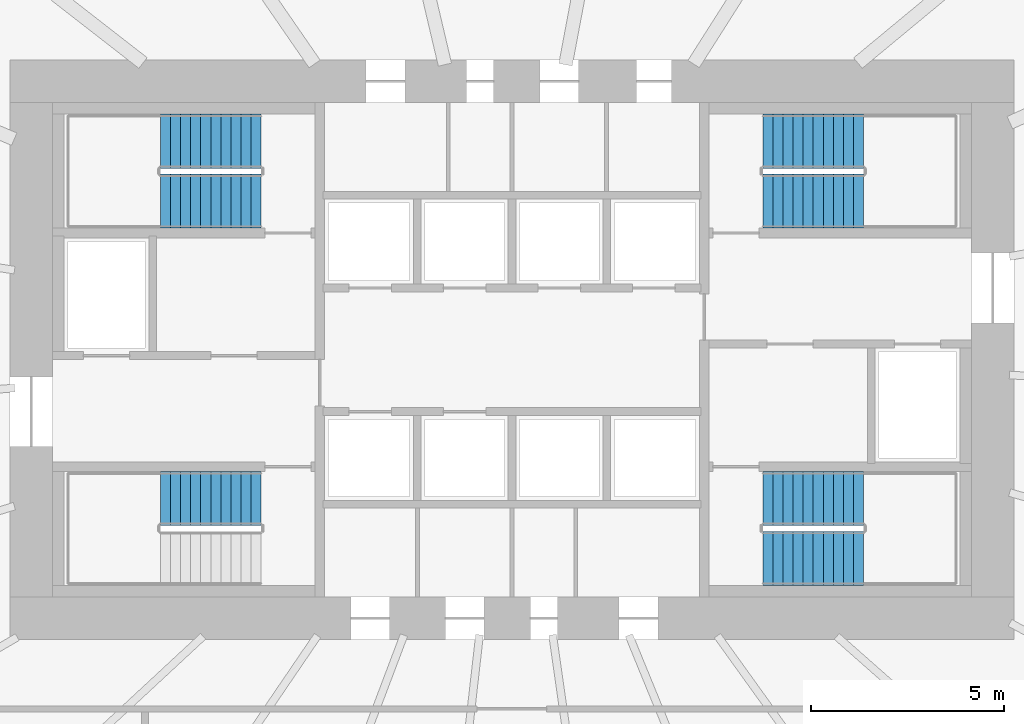
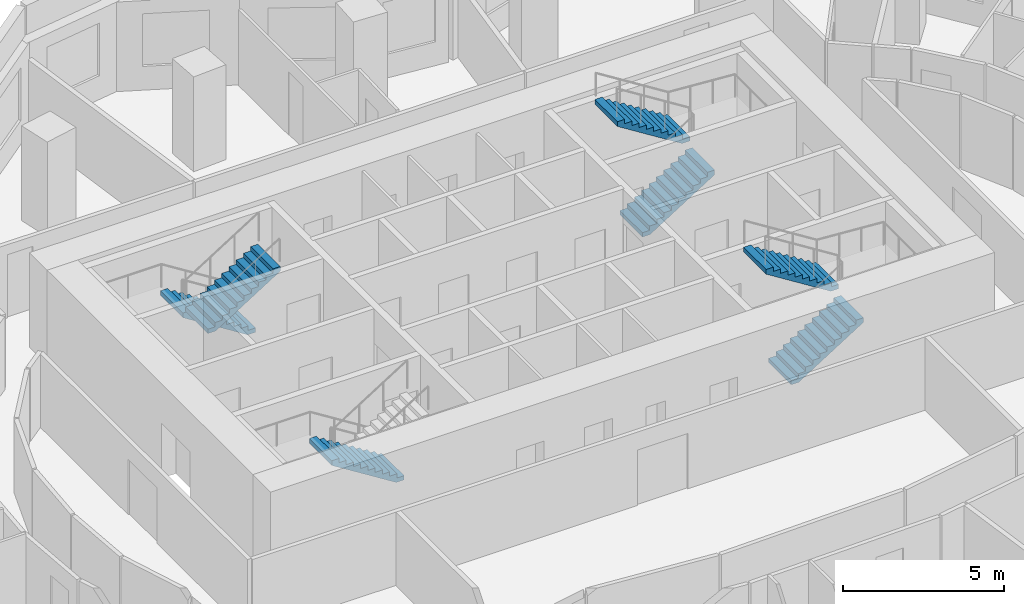
# One storey, part 10 of 11: 7 stair flights, 4 elements without a shape of their own.
"""IFC4 building model written with IfcOpenShell, lengths in metres."""

import ifcopenshell
import ifcopenshell.guid

model = None  # the IFC model being written
_history = None  # IfcOwnerHistory: only IFC2X3 demands one
_inside = {}  # id of a spatial element -> (the spatial element, [elements in it])
_under = {}  # id of a project, library or spatial element -> (it, [spatial elements below it])
_declared = {}  # id of a project -> (the project, [libraries it declares])
_typed = {}  # id of a type object -> (the type object, [elements of that type])
_made_of = {}  # id of a material, layer set ... -> (it, [elements and type objects made of it])


def new_model(schema):
    """Start an empty IFC model of exactly this schema.

    Asked for "IFC4X3", IfcOpenShell would pick the latest addendum, in which some entities
    have other attributes; the version numbers below select the first issue.
    IFC2X3 requires an IfcOwnerHistory on every rooted entity: one is made here for all.
    """
    global model, _history
    if schema == "IFC4X3":
        model = ifcopenshell.file(schema_version=(4, 3, 0, 0))
    else:
        model = ifcopenshell.file(schema=schema)
    _inside.clear()
    _under.clear()
    _declared.clear()
    _typed.clear()
    _made_of.clear()
    _history = None
    if model.schema == "IFC2X3":
        org = make("IfcOrganization", Name="unknown")
        user = make(
            "IfcPersonAndOrganization",
            ThePerson=make("IfcPerson", FamilyName="unknown"),
            TheOrganization=org,
        )
        app = make(
            "IfcApplication",
            ApplicationDeveloper=org,
            Version="unknown",
            ApplicationFullName="unknown",
            ApplicationIdentifier="unknown",
        )
        _history = make(
            "IfcOwnerHistory",
            OwningUser=user,
            OwningApplication=app,
            ChangeAction="ADDED",
            CreationDate=0,
        )
    return model


def make(cls, **values):
    """One entity of the class cls with the attributes given. An attribute that is None is left unset."""
    return model.create_entity(
        cls, **{name: value for name, value in values.items() if value is not None}
    )


def rooted(cls, **values):
    """An entity with a GlobalId (a new one), such as an element, a storey or a relation."""
    return make(cls, GlobalId=ifcopenshell.guid.new(), OwnerHistory=_history, **values)


def si_unit(unit_type, name, prefix=None):
    """IfcSIUnit, for example si_unit("LENGTHUNIT", "METRE", prefix="MILLI")."""
    return make("IfcSIUnit", UnitType=unit_type, Prefix=prefix, Name=name)


def assignment(units):
    """IfcUnitAssignment: the units of a project."""
    return None if units is None else make("IfcUnitAssignment", Units=units)


def point(xyz):
    """IfcCartesianPoint."""
    return None if xyz is None else make("IfcCartesianPoint", Coordinates=xyz)


def direction(xyz):
    """IfcDirection."""
    return None if xyz is None else make("IfcDirection", DirectionRatios=xyz)


def frame(location, z_axis=None, x_axis=None):
    """IfcAxis2Placement3D, a coordinate frame: its origin and axes. An axis left out is left unset."""
    return make(
        "IfcAxis2Placement3D",
        Location=point(location),
        Axis=direction(z_axis),
        RefDirection=direction(x_axis),
    )


def origin():
    """The frame at (0, 0, 0) with its axes left unset."""
    return frame((0.0, 0.0, 0.0))


def place(relative_to, where):
    """IfcLocalPlacement: puts the frame where relative to a parent placement (None: the world)."""
    return make(
        "IfcLocalPlacement", PlacementRelTo=relative_to, RelativePlacement=where
    )


def context(
    kind, dimensions, precision=None, world=None, true_north=None, identifier=None
):
    """IfcGeometricRepresentationContext, for example the 3D "Model" context."""
    return make(
        "IfcGeometricRepresentationContext",
        ContextIdentifier=identifier,
        ContextType=kind,
        CoordinateSpaceDimension=dimensions,
        Precision=precision,
        WorldCoordinateSystem=world,
        TrueNorth=true_north,
    )


def subcontext(parent, identifier, kind, view, scale=None):
    """IfcGeometricRepresentationSubContext, for example "Body" below "Model"."""
    return make(
        "IfcGeometricRepresentationSubContext",
        ContextIdentifier=identifier,
        ContextType=kind,
        ParentContext=parent,
        TargetScale=scale,
        TargetView=view,
    )


def project(units=None, contexts=None):
    """IfcProject with its units and contexts."""
    return rooted(
        "IfcProject",
        Name="project",
        RepresentationContexts=contexts,
        UnitsInContext=assignment(units),
    )


def spatial(cls, under=None, at=None, **own):
    """A site, building, storey or space (cls), placed at a placement, below another one or the project."""
    s = rooted(cls, ObjectPlacement=at, **own)
    if under is not None:
        _under.setdefault(under.id(), (under, []))[1].append(s)
    return s


def polyline(points):
    """IfcPolyline through the points."""
    return make("IfcPolyline", Points=[point(p) for p in points])


def outline(outer, holes=None, kind="AREA"):
    """IfcArbitraryClosedProfileDef: a profile drawn as a closed curve; with holes, ...WithVoids."""
    if holes is None:
        return make("IfcArbitraryClosedProfileDef", ProfileType=kind, OuterCurve=outer)
    return make(
        "IfcArbitraryProfileDefWithVoids",
        ProfileType=kind,
        OuterCurve=outer,
        InnerCurves=holes,
    )


def extrude(swept, where, along, depth):
    """IfcExtrudedAreaSolid: the profile swept, set in the frame where, extruded along a direction by depth."""
    return make(
        "IfcExtrudedAreaSolid",
        SweptArea=swept,
        Position=where,
        ExtrudedDirection=direction(along),
        Depth=depth,
    )


def shape(context_of_items, identifier, shape_type, items):
    """IfcShapeRepresentation: the items that make up one representation, for example the "Body"."""
    return make(
        "IfcShapeRepresentation",
        ContextOfItems=context_of_items,
        RepresentationIdentifier=identifier,
        RepresentationType=shape_type,
        Items=items,
    )


def material(Name=None, Category=None):
    """IfcMaterial."""
    return make("IfcMaterial", Name=Name, Category=Category)


def made_of(thing, what):
    """Note that an element or type object is made of a material, layer set ...; save() writes the relation."""
    if what is not None:
        _made_of.setdefault(what.id(), (what, []))[1].append(thing)
    return thing


def type_object(cls, material=None, **own):
    """A type object (cls), such as IfcWallType, which elements share."""
    return made_of(rooted(cls, **own), material)


def element(
    cls,
    number,
    at=None,
    inside=None,
    cuts=None,
    type_object=None,
    material=None,
    context=None,
    identifier="Body",
    shape_type=None,
    held_by="IfcProductDefinitionShape",
    body=None,
    shapes=None,
    **own,
):
    """One element of the class cls, such as IfcWall. Its Tag is "e" and its number.

    at: its placement. inside: the storey or other place that contains it. cuts: it is an
    opening in that element (IfcRelVoidsElement). A single representation is given by context,
    identifier, shape_type and body (its items); several are given by shapes. held_by: the class
    of the entity that holds the representations. save() writes the other relations.
    """
    e = rooted(cls, Tag="e%d" % number, ObjectPlacement=at, **own)
    if body is not None:
        shapes = [shape(context, identifier, shape_type, body)]
    if shapes is not None:
        e.Representation = make(held_by, Representations=shapes)
    if inside is not None:
        _inside.setdefault(inside.id(), (inside, []))[1].append(e)
    if cuts is not None:
        rooted(
            "IfcRelVoidsElement", RelatingBuildingElement=cuts, RelatedOpeningElement=e
        )
    if type_object is not None:
        _typed.setdefault(type_object.id(), (type_object, []))[1].append(e)
    return made_of(e, material)


def aggregate(whole, parts):
    """IfcRelAggregates: a whole, such as a stair, and the parts it consists of."""
    return rooted("IfcRelAggregates", RelatingObject=whole, RelatedObjects=parts)


def save(model, path):
    """Write the relations noted so far, then the file.

    IfcRelAggregates (storeys below a building ...), IfcRelContainedInSpatialStructure (elements
    in a storey), IfcRelDefinesByType, IfcRelAssociatesMaterial and IfcRelDeclares: one each for
    every whole, place, type object, material and project.
    """
    for whole, parts in _under.values():
        aggregate(whole, parts)
    for where, things in _inside.values():
        rooted(
            "IfcRelContainedInSpatialStructure",
            RelatedElements=things,
            RelatingStructure=where,
        )
    for kind, things in _typed.values():
        rooted("IfcRelDefinesByType", RelatedObjects=things, RelatingType=kind)
    for what, things in _made_of.values():
        rooted("IfcRelAssociatesMaterial", RelatedObjects=things, RelatingMaterial=what)
    for by, libraries in _declared.values():
        rooted("IfcRelDeclares", RelatingContext=by, RelatedDefinitions=libraries)
    model.write(path)


model = new_model("IFC4")

# Units and contexts
model_context = context("Model", 3, precision=1e-05, world=origin(), true_north=direction((0.0, 1.0)))
body_context = subcontext(model_context, "Body", "Model", "MODEL_VIEW")
ifc_project = project(units=[si_unit("LENGTHUNIT", "METRE"), si_unit("AREAUNIT", "SQUARE_METRE"), si_unit("VOLUMEUNIT", "CUBIC_METRE"), si_unit("PLANEANGLEUNIT", "RADIAN"), si_unit("MASSUNIT", "GRAM", prefix="KILO")], contexts=[model_context])

# Site, building, storey
site_placement = place(None, origin())
site = spatial("IfcSite", under=ifc_project, at=site_placement, CompositionType="ELEMENT")
building_placement = place(site_placement, origin())
building = spatial("IfcBuilding", under=site, at=building_placement, Name="Rubra Terraces Tower", CompositionType="ELEMENT")
storey_placement = place(building_placement, frame((0.0, 0.0, 114.0)))
storey = spatial("IfcBuildingStorey", under=building, at=storey_placement, Name="L27", CompositionType="ELEMENT", Elevation=114.0)

# Stair, stair flight
ifc_material = material(Name="Concrete C40", Category="concrete")
stair_type = type_object("IfcStairType", Name="Core stair 1400", PredefinedType="HALF_TURN_STAIR", material=ifc_material)
stair_1_placement = place(storey_placement, origin())
stair_1 = element("IfcStair", 1, at=stair_1_placement, inside=storey, type_object=stair_type, Name="L27 Exit stair S1", PredefinedType="HALF_TURN_STAIR")
stair_flight_type = type_object("IfcStairFlightType", Name="Core stair flight 1400", PredefinedType="STRAIGHT", material=ifc_material)
stair_flight_1_placement = place(storey_placement, frame((-6.5, 0.64990234375, 0.0), z_axis=(0.0, 0.0, 1.0), x_axis=(-1.0, 0.0, 0.0)))
stair_flight_1 = element("IfcStairFlight", 2, at=stair_flight_1_placement, type_object=stair_flight_type, Name="S1 flight 1", NumberOfRisers=11, NumberOfTreads=10, PredefinedType="STRAIGHT", RiserHeight=0.163636364, TreadLength=0.26, context=body_context, shape_type="SweptSolid", body=[
    extrude(outline(polyline([(0.0, 0.0), (0.0, 0.16357421875), (0.260009765625, 0.16357421875), (0.260009765625, 0.327392578125), (0.52001953125, 0.327392578125), (0.52001953125, 0.490966796875), (0.780029296875, 0.490966796875), (0.780029296875, 0.654541015625), (1.0400390625, 0.654541015625), (1.0400390625, 0.818115234375), (1.300048828125, 0.818115234375), (1.300048828125, 0.98193359375), (1.56005859375, 0.98193359375), (1.56005859375, 1.1455078125), (1.820068359375, 1.1455078125), (1.820068359375, 1.30908203125), (2.080078125, 1.30908203125), (2.080078125, 1.47265625), (2.340087890625, 1.47265625), (2.340087890625, 1.636474609375), (2.60009765625, 1.636474609375), (2.60009765625, 1.800048828125), (2.60009765625, 1.459228515625), (0.281494140625, 0.0), (0.0, 0.0)])), frame((0.0, 0.699951171875, 0.0), z_axis=(0.0, -1.0, 0.0), x_axis=(1.0, 0.0, 0.0)), (0.0, 0.0, 1.0), 1.39990234375),
])
aggregate(stair_1, [stair_flight_1])

# Stair, stair flights
stair_2_placement = place(storey_placement, origin())
stair_2 = element("IfcStair", 3, at=stair_2_placement, inside=storey, type_object=stair_type, Name="L27 Exit stair S2", PredefinedType="HALF_TURN_STAIR")
stair_flight_2_placement = place(storey_placement, frame((-6.5, 9.89990234375, 0.0), z_axis=(0.0, 0.0, 1.0), x_axis=(-1.0, 0.0, 0.0)))
stair_flight_2 = element("IfcStairFlight", 4, at=stair_flight_2_placement, type_object=stair_flight_type, Name="S2 flight 1", NumberOfRisers=11, NumberOfTreads=10, PredefinedType="STRAIGHT", RiserHeight=0.163636364, TreadLength=0.26, context=body_context, shape_type="SweptSolid", body=[
    extrude(outline(polyline([(0.0, 0.0), (0.0, 0.16357421875), (0.260009765625, 0.16357421875), (0.260009765625, 0.327392578125), (0.52001953125, 0.327392578125), (0.52001953125, 0.490966796875), (0.780029296875, 0.490966796875), (0.780029296875, 0.654541015625), (1.0400390625, 0.654541015625), (1.0400390625, 0.818115234375), (1.300048828125, 0.818115234375), (1.300048828125, 0.98193359375), (1.56005859375, 0.98193359375), (1.56005859375, 1.1455078125), (1.820068359375, 1.1455078125), (1.820068359375, 1.30908203125), (2.080078125, 1.30908203125), (2.080078125, 1.47265625), (2.340087890625, 1.47265625), (2.340087890625, 1.636474609375), (2.60009765625, 1.636474609375), (2.60009765625, 1.800048828125), (2.60009765625, 1.459228515625), (0.281494140625, 0.0), (0.0, 0.0)])), frame((0.0, 0.699951171875, 0.0), z_axis=(0.0, -1.0, 0.0), x_axis=(1.0, 0.0, 0.0)), (0.0, 0.0, 1.0), 1.39990234375),
])
stair_flight_3_placement = place(storey_placement, frame((-9.10009765625, 8.35009765625, 1.800048828125), z_axis=(0.0, 0.0, 1.0), x_axis=(1.0, 0.0, 0.0)))
stair_flight_3 = element("IfcStairFlight", 5, at=stair_flight_3_placement, type_object=stair_flight_type, Name="S2 flight 2", NumberOfRisers=11, NumberOfTreads=10, PredefinedType="STRAIGHT", RiserHeight=0.163636364, TreadLength=0.26, context=body_context, shape_type="SweptSolid", body=[
    extrude(outline(polyline([(0.0, 0.0), (0.0, 0.16357421875), (0.260009765625, 0.16357421875), (0.260009765625, 0.327392578125), (0.52001953125, 0.327392578125), (0.52001953125, 0.490966796875), (0.780029296875, 0.490966796875), (0.780029296875, 0.654541015625), (1.0400390625, 0.654541015625), (1.0400390625, 0.818115234375), (1.300048828125, 0.818115234375), (1.300048828125, 0.98193359375), (1.56005859375, 0.98193359375), (1.56005859375, 1.1455078125), (1.820068359375, 1.1455078125), (1.820068359375, 1.30908203125), (2.080078125, 1.30908203125), (2.080078125, 1.47265625), (2.340087890625, 1.47265625), (2.340087890625, 1.636474609375), (2.60009765625, 1.636474609375), (2.60009765625, 1.800048828125), (2.60009765625, 1.459228515625), (0.281494140625, 0.0), (0.0, 0.0)])), frame((0.0, 0.699951171875, 0.0), z_axis=(0.0, -1.0, 0.0), x_axis=(1.0, 0.0, 0.0)), (0.0, 0.0, 1.0), 1.39990234375),
])
aggregate(stair_2, [stair_flight_2, stair_flight_3])

stair_3_placement = place(storey_placement, origin())
stair_3 = element("IfcStair", 6, at=stair_3_placement, inside=storey, type_object=stair_type, Name="L27 Exit stair S3", PredefinedType="HALF_TURN_STAIR")
stair_flight_4_placement = place(storey_placement, frame((6.5, 8.35009765625, 0.0), z_axis=(0.0, 0.0, 1.0), x_axis=(1.0, 0.0, 0.0)))
stair_flight_4 = element("IfcStairFlight", 7, at=stair_flight_4_placement, type_object=stair_flight_type, Name="S3 flight 1", NumberOfRisers=11, NumberOfTreads=10, PredefinedType="STRAIGHT", RiserHeight=0.163636364, TreadLength=0.26, context=body_context, shape_type="SweptSolid", body=[
    extrude(outline(polyline([(0.0, 0.0), (0.0, 0.16357421875), (0.260009765625, 0.16357421875), (0.260009765625, 0.327392578125), (0.52001953125, 0.327392578125), (0.52001953125, 0.490966796875), (0.780029296875, 0.490966796875), (0.780029296875, 0.654541015625), (1.0400390625, 0.654541015625), (1.0400390625, 0.818115234375), (1.300048828125, 0.818115234375), (1.300048828125, 0.98193359375), (1.56005859375, 0.98193359375), (1.56005859375, 1.1455078125), (1.820068359375, 1.1455078125), (1.820068359375, 1.30908203125), (2.080078125, 1.30908203125), (2.080078125, 1.47265625), (2.340087890625, 1.47265625), (2.340087890625, 1.636474609375), (2.60009765625, 1.636474609375), (2.60009765625, 1.800048828125), (2.60009765625, 1.459228515625), (0.281494140625, 0.0), (0.0, 0.0)])), frame((0.0, 0.699951171875, 0.0), z_axis=(0.0, -1.0, 0.0), x_axis=(1.0, 0.0, 0.0)), (0.0, 0.0, 1.0), 1.39990234375),
])
stair_flight_5_placement = place(storey_placement, frame((9.10009765625, 9.89990234375, 1.800048828125), z_axis=(0.0, 0.0, 1.0), x_axis=(-1.0, 0.0, 0.0)))
stair_flight_5 = element("IfcStairFlight", 8, at=stair_flight_5_placement, type_object=stair_flight_type, Name="S3 flight 2", NumberOfRisers=11, NumberOfTreads=10, PredefinedType="STRAIGHT", RiserHeight=0.163636364, TreadLength=0.26, context=body_context, shape_type="SweptSolid", body=[
    extrude(outline(polyline([(0.0, 0.0), (0.0, 0.16357421875), (0.260009765625, 0.16357421875), (0.260009765625, 0.327392578125), (0.52001953125, 0.327392578125), (0.52001953125, 0.490966796875), (0.780029296875, 0.490966796875), (0.780029296875, 0.654541015625), (1.0400390625, 0.654541015625), (1.0400390625, 0.818115234375), (1.300048828125, 0.818115234375), (1.300048828125, 0.98193359375), (1.56005859375, 0.98193359375), (1.56005859375, 1.1455078125), (1.820068359375, 1.1455078125), (1.820068359375, 1.30908203125), (2.080078125, 1.30908203125), (2.080078125, 1.47265625), (2.340087890625, 1.47265625), (2.340087890625, 1.636474609375), (2.60009765625, 1.636474609375), (2.60009765625, 1.800048828125), (2.60009765625, 1.459228515625), (0.281494140625, 0.0), (0.0, 0.0)])), frame((0.0, 0.699951171875, 0.0), z_axis=(0.0, -1.0, 0.0), x_axis=(1.0, 0.0, 0.0)), (0.0, 0.0, 1.0), 1.39990234375),
])
aggregate(stair_3, [stair_flight_4, stair_flight_5])

stair_4_placement = place(storey_placement, origin())
stair_4 = element("IfcStair", 9, at=stair_4_placement, inside=storey, type_object=stair_type, Name="L27 Exit stair S4", PredefinedType="HALF_TURN_STAIR")
stair_flight_6_placement = place(storey_placement, frame((6.5, -0.89990234375, 0.0), z_axis=(0.0, 0.0, 1.0), x_axis=(1.0, 0.0, 0.0)))
stair_flight_6 = element("IfcStairFlight", 10, at=stair_flight_6_placement, type_object=stair_flight_type, Name="S4 flight 1", NumberOfRisers=11, NumberOfTreads=10, PredefinedType="STRAIGHT", RiserHeight=0.163636364, TreadLength=0.26, context=body_context, shape_type="SweptSolid", body=[
    extrude(outline(polyline([(0.0, 0.0), (0.0, 0.16357421875), (0.260009765625, 0.16357421875), (0.260009765625, 0.327392578125), (0.52001953125, 0.327392578125), (0.52001953125, 0.490966796875), (0.780029296875, 0.490966796875), (0.780029296875, 0.654541015625), (1.0400390625, 0.654541015625), (1.0400390625, 0.818115234375), (1.300048828125, 0.818115234375), (1.300048828125, 0.98193359375), (1.56005859375, 0.98193359375), (1.56005859375, 1.1455078125), (1.820068359375, 1.1455078125), (1.820068359375, 1.30908203125), (2.080078125, 1.30908203125), (2.080078125, 1.47265625), (2.340087890625, 1.47265625), (2.340087890625, 1.636474609375), (2.60009765625, 1.636474609375), (2.60009765625, 1.800048828125), (2.60009765625, 1.459228515625), (0.281494140625, 0.0), (0.0, 0.0)])), frame((0.0, 0.699951171875, 0.0), z_axis=(0.0, -1.0, 0.0), x_axis=(1.0, 0.0, 0.0)), (0.0, 0.0, 1.0), 1.39990234375),
])
stair_flight_7_placement = place(storey_placement, frame((9.10009765625, 0.64990234375, 1.800048828125), z_axis=(0.0, 0.0, 1.0), x_axis=(-1.0, 0.0, 0.0)))
stair_flight_7 = element("IfcStairFlight", 11, at=stair_flight_7_placement, type_object=stair_flight_type, Name="S4 flight 2", NumberOfRisers=11, NumberOfTreads=10, PredefinedType="STRAIGHT", RiserHeight=0.163636364, TreadLength=0.26, context=body_context, shape_type="SweptSolid", body=[
    extrude(outline(polyline([(0.0, 0.0), (0.0, 0.16357421875), (0.260009765625, 0.16357421875), (0.260009765625, 0.327392578125), (0.52001953125, 0.327392578125), (0.52001953125, 0.490966796875), (0.780029296875, 0.490966796875), (0.780029296875, 0.654541015625), (1.0400390625, 0.654541015625), (1.0400390625, 0.818115234375), (1.300048828125, 0.818115234375), (1.300048828125, 0.98193359375), (1.56005859375, 0.98193359375), (1.56005859375, 1.1455078125), (1.820068359375, 1.1455078125), (1.820068359375, 1.30908203125), (2.080078125, 1.30908203125), (2.080078125, 1.47265625), (2.340087890625, 1.47265625), (2.340087890625, 1.636474609375), (2.60009765625, 1.636474609375), (2.60009765625, 1.800048828125), (2.60009765625, 1.459228515625), (0.281494140625, 0.0), (0.0, 0.0)])), frame((0.0, 0.699951171875, 0.0), z_axis=(0.0, -1.0, 0.0), x_axis=(1.0, 0.0, 0.0)), (0.0, 0.0, 1.0), 1.39990234375),
])
aggregate(stair_4, [stair_flight_6, stair_flight_7])

save(model, "model.ifc")
